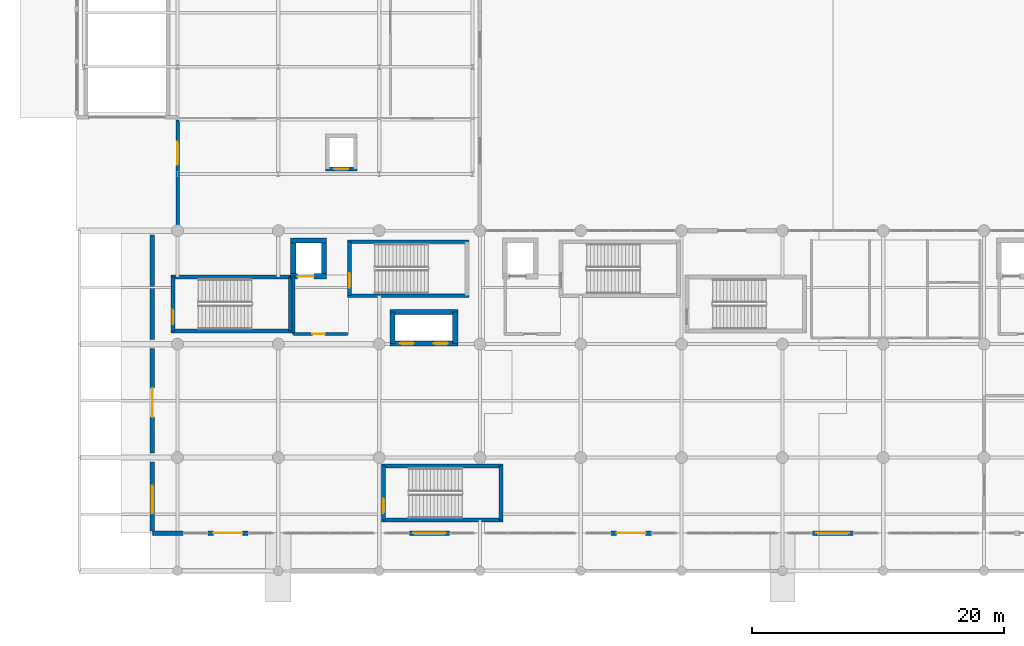
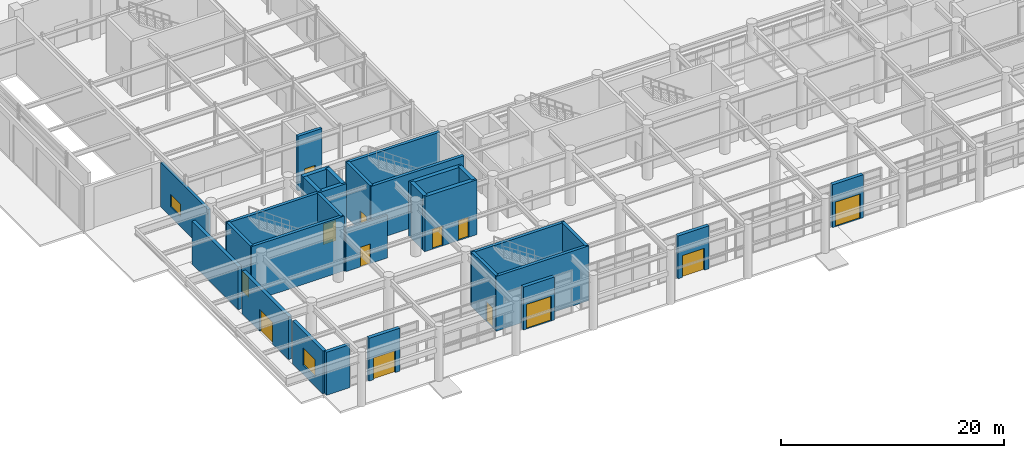
# One storey, part 28 of 49: 31 walls, 13 doors, 2 windows, 15 openings.
"""IFC4 building model written with IfcOpenShell, lengths in metres."""

from ifc_helpers import new_model, si_unit, direction, frame, frame_2d, origin, place, context, subcontext, project, spatial, rectangle, extrude, material, layer, layer_set, type_object, element, fill, save


model = new_model("IFC4")

# Units and contexts
model_context = context("Model", 3, precision=1e-05, world=origin(), true_north=direction((0.0, 1.0)))
body_context = subcontext(model_context, "Body", "Model", "MODEL_VIEW")
ifc_project = project(units=[si_unit("LENGTHUNIT", "METRE"), si_unit("AREAUNIT", "SQUARE_METRE"), si_unit("VOLUMEUNIT", "CUBIC_METRE"), si_unit("PLANEANGLEUNIT", "RADIAN"), si_unit("MASSUNIT", "GRAM", prefix="KILO")], contexts=[model_context])

# Site, building, storey
site_placement = place(None, origin())
site = spatial("IfcSite", under=ifc_project, at=site_placement, CompositionType="ELEMENT")
building_placement = place(site_placement, origin())
building = spatial("IfcBuilding", under=site, at=building_placement, Name="Tlacozan Convention Centre", CompositionType="ELEMENT")
storey_placement = place(building_placement, origin())
storey = spatial("IfcBuildingStorey", under=building, at=storey_placement, Name="L00", CompositionType="ELEMENT", Elevation=0.0)

# Wall
ifc_material_1 = material(Name="Volcanic Cantera Stone Masonry", Category="masonry")
ifc_layer_1 = layer(ifc_material_1, 0.35009765625)
ifc_layer_set_1 = layer_set([ifc_layer_1], Name="Volcanic Cantera Stone Masonry")
wall_type_1 = type_object("IfcWallType", Name="Cantera Cavity Facade Wall 350", PredefinedType="SOLIDWALL", material=ifc_layer_set_1)
wall_1_placement = place(storey_placement, frame((6.0, 3.0, 0.0), z_axis=(0.0, 0.0, 1.0), x_axis=(1.0, 0.0, 0.0)))
element("IfcWall", 1, at=wall_1_placement, inside=storey, type_object=wall_type_1, Name="L00 Cantera Cavity Facade Wall 350 94", PredefinedType="SOLIDWALL", context=body_context, shape_type="SweptSolid", body=[
    extrude(rectangle(XDim=2.449951171875, YDim=0.35009765625, at=frame_2d((1.22509765625, 0.0))), origin(), (0.0, 0.0, 1.0), 4.699951171875),
])

# Wall, opening, door
wall_2_placement = place(storey_placement, frame((10.39990234375, 3.0, 0.0), z_axis=(0.0, 0.0, 1.0), x_axis=(1.0, 0.0, 0.0)))
wall_2 = element("IfcWall", 2, at=wall_2_placement, inside=storey, type_object=wall_type_1, Name="L00 Cantera Cavity Facade Wall 350 95", PredefinedType="SOLIDWALL", context=body_context, shape_type="SweptSolid", body=[
    extrude(rectangle(XDim=3.2001953125, YDim=0.35009765625, at=frame_2d((1.60009765625, 0.0))), origin(), (0.0, 0.0, 1.0), 4.699951171875),
])
opening_1_placement = place(wall_2_placement, frame((0.449951171875, 0.0, 0.0)))
opening_1 = element("IfcOpeningElement", 3, at=opening_1_placement, cuts=wall_2, Name="Opening EX-D1", PredefinedType="OPENING", context=body_context, shape_type="SweptSolid", body=[
    extrude(rectangle(XDim=2.300048828125, YDim=2.39990234375, at=frame_2d((1.14990234375, 1.199951171875))), frame((0.0, 0.18505859375, 0.0), z_axis=(0.0, -1.0, 0.0), x_axis=(1.0, 0.0, 0.0)), (0.0, 0.0, 1.0), 0.3701171875),
])
ifc_material_2 = material(Name="Thermally Broken Anodised Aluminium Door", Category="aluminium")
door_type_1 = type_object("IfcDoorType", Name="Pedestrian Final Exit Double Door 2300x2400", OperationType="DOUBLE_DOOR_SINGLE_SWING", PredefinedType="DOOR", material=ifc_material_2)
door_1_placement = place(opening_1_placement, frame((2.300048828125, 0.0, 0.0), z_axis=(0.0, 0.0, 1.0), x_axis=(-1.0, 0.0, 0.0)))
door_1 = element("IfcDoor", 4, at=door_1_placement, inside=storey, type_object=door_type_1, Name="Main Promenade Entrance E-01", OperationType="DOUBLE_DOOR_SINGLE_SWING", OverallHeight=2.39990234375, OverallWidth=2.300048828125, PredefinedType="DOOR", context=body_context, shape_type="SweptSolid", body=[
    extrude(rectangle(XDim=2.300048828125, YDim=2.39990234375, at=frame_2d((1.14990234375, 1.199951171875))), frame((0.0, 0.02490234375, 0.0), z_axis=(0.0, -1.0, 0.0), x_axis=(1.0, 0.0, 0.0)), (0.0, 0.0, 1.0), 0.050048828125),
])
fill(opening_1, door_1)

wall_3_placement = place(storey_placement, frame((26.39990234375, 3.0, 0.0), z_axis=(0.0, 0.0, 1.0), x_axis=(1.0, 0.0, 0.0)))
wall_3 = element("IfcWall", 5, at=wall_3_placement, inside=storey, type_object=wall_type_1, Name="L00 Cantera Cavity Facade Wall 350 96", PredefinedType="SOLIDWALL", context=body_context, shape_type="SweptSolid", body=[
    extrude(rectangle(XDim=3.2001953125, YDim=0.35009765625, at=frame_2d((1.60009765625, 0.0))), origin(), (0.0, 0.0, 1.0), 4.699951171875),
])
opening_2_placement = place(wall_3_placement, frame((0.300048828125, 0.0, 0.0)))
opening_2 = element("IfcOpeningElement", 6, at=opening_2_placement, cuts=wall_3, Name="Opening EX-D2", PredefinedType="OPENING", context=body_context, shape_type="SweptSolid", body=[
    extrude(rectangle(XDim=2.60009765625, YDim=2.699951171875, at=frame_2d((1.300048828125, 1.35009765625))), frame((0.0, 0.18505859375, 0.0), z_axis=(0.0, -1.0, 0.0), x_axis=(1.0, 0.0, 0.0)), (0.0, 0.0, 1.0), 0.3701171875),
])
door_type_2 = type_object("IfcDoorType", Name="Concourse Main Entrance Double Door 2600x2700", OperationType="DOUBLE_DOOR_SINGLE_SWING", PredefinedType="DOOR", material=ifc_material_2)
door_2_placement = place(opening_2_placement, frame((2.60009765625, 0.0, 0.0), z_axis=(0.0, 0.0, 1.0), x_axis=(-1.0, 0.0, 0.0)))
door_2 = element("IfcDoor", 7, at=door_2_placement, inside=storey, type_object=door_type_2, Name="Main Promenade Entrance E-03", OperationType="DOUBLE_DOOR_SINGLE_SWING", OverallHeight=2.699951171875, OverallWidth=2.60009765625, PredefinedType="DOOR", context=body_context, shape_type="SweptSolid", body=[
    extrude(rectangle(XDim=2.60009765625, YDim=2.699951171875, at=frame_2d((1.300048828125, 1.35009765625))), frame((0.0, 0.02490234375, 0.0), z_axis=(0.0, -1.0, 0.0), x_axis=(1.0, 0.0, 0.0)), (0.0, 0.0, 1.0), 0.050048828125),
])
fill(opening_2, door_2)

wall_4_placement = place(storey_placement, frame((42.39990234375, 3.0, 0.0), z_axis=(0.0, 0.0, 1.0), x_axis=(1.0, 0.0, 0.0)))
wall_4 = element("IfcWall", 8, at=wall_4_placement, inside=storey, type_object=wall_type_1, Name="L00 Cantera Cavity Facade Wall 350 97", PredefinedType="SOLIDWALL", context=body_context, shape_type="SweptSolid", body=[
    extrude(rectangle(XDim=3.2001953125, YDim=0.35009765625, at=frame_2d((1.60009765625, 0.0))), origin(), (0.0, 0.0, 1.0), 4.699951171875),
])
opening_3_placement = place(wall_4_placement, frame((0.449951171875, 0.0, 0.0)))
opening_3 = element("IfcOpeningElement", 9, at=opening_3_placement, cuts=wall_4, Name="Opening EX-D1", PredefinedType="OPENING", context=body_context, shape_type="SweptSolid", body=[
    extrude(rectangle(XDim=2.300048828125, YDim=2.39990234375, at=frame_2d((1.14990234375, 1.199951171875))), frame((0.0, 0.18505859375, 0.0), z_axis=(0.0, -1.0, 0.0), x_axis=(1.0, 0.0, 0.0)), (0.0, 0.0, 1.0), 0.3701171875),
])
door_3_placement = place(opening_3_placement, frame((2.300048828125, 0.0, 0.0), z_axis=(0.0, 0.0, 1.0), x_axis=(-1.0, 0.0, 0.0)))
door_3 = element("IfcDoor", 10, at=door_3_placement, inside=storey, type_object=door_type_1, Name="Main Promenade Entrance E-05", OperationType="DOUBLE_DOOR_SINGLE_SWING", OverallHeight=2.39990234375, OverallWidth=2.300048828125, PredefinedType="DOOR", context=body_context, shape_type="SweptSolid", body=[
    extrude(rectangle(XDim=2.300048828125, YDim=2.39990234375, at=frame_2d((1.14990234375, 1.199951171875))), frame((0.0, 0.02490234375, 0.0), z_axis=(0.0, -1.0, 0.0), x_axis=(1.0, 0.0, 0.0)), (0.0, 0.0, 1.0), 0.050048828125),
])
fill(opening_3, door_3)

wall_5_placement = place(storey_placement, frame((58.39990234375, 3.0, 0.0), z_axis=(0.0, 0.0, 1.0), x_axis=(1.0, 0.0, 0.0)))
wall_5 = element("IfcWall", 11, at=wall_5_placement, inside=storey, type_object=wall_type_1, Name="L00 Cantera Cavity Facade Wall 350 98", PredefinedType="SOLIDWALL", context=body_context, shape_type="SweptSolid", body=[
    extrude(rectangle(XDim=3.2001953125, YDim=0.35009765625, at=frame_2d((1.60009765625, 0.0))), origin(), (0.0, 0.0, 1.0), 4.699951171875),
])
opening_4_placement = place(wall_5_placement, frame((0.300048828125, 0.0, 0.0)))
opening_4 = element("IfcOpeningElement", 12, at=opening_4_placement, cuts=wall_5, Name="Opening EX-D2", PredefinedType="OPENING", context=body_context, shape_type="SweptSolid", body=[
    extrude(rectangle(XDim=2.60009765625, YDim=2.699951171875, at=frame_2d((1.300048828125, 1.35009765625))), frame((0.0, 0.18505859375, 0.0), z_axis=(0.0, -1.0, 0.0), x_axis=(1.0, 0.0, 0.0)), (0.0, 0.0, 1.0), 0.3701171875),
])
door_4_placement = place(opening_4_placement, frame((2.60009765625, 0.0, 0.0), z_axis=(0.0, 0.0, 1.0), x_axis=(-1.0, 0.0, 0.0)))
door_4 = element("IfcDoor", 13, at=door_4_placement, inside=storey, type_object=door_type_2, Name="Main Promenade Entrance E-07", OperationType="DOUBLE_DOOR_SINGLE_SWING", OverallHeight=2.699951171875, OverallWidth=2.60009765625, PredefinedType="DOOR", context=body_context, shape_type="SweptSolid", body=[
    extrude(rectangle(XDim=2.60009765625, YDim=2.699951171875, at=frame_2d((1.300048828125, 1.35009765625))), frame((0.0, 0.02490234375, 0.0), z_axis=(0.0, -1.0, 0.0), x_axis=(1.0, 0.0, 0.0)), (0.0, 0.0, 1.0), 0.050048828125),
])
fill(opening_4, door_4)

# Wall, opening, window
wall_6_placement = place(storey_placement, frame((6.0, 3.175048828125, 0.0), z_axis=(0.0, 0.0, 1.0), x_axis=(0.0, 1.0, 0.0)))
wall_6 = element("IfcWall", 14, at=wall_6_placement, inside=storey, type_object=wall_type_1, Name="L00 Cantera Cavity Facade Wall 350 102", PredefinedType="SOLIDWALL", context=body_context, shape_type="SweptSolid", body=[
    extrude(rectangle(XDim=5.46484375, YDim=0.35009765625, at=frame_2d((2.732421875, 0.0))), origin(), (0.0, 0.0, 1.0), 4.699951171875),
])
opening_5_placement = place(wall_6_placement, frame((1.39990234375, 0.0, 1.0)))
opening_5 = element("IfcOpeningElement", 15, at=opening_5_placement, cuts=wall_6, Name="Opening WN-06", PredefinedType="OPENING", context=body_context, shape_type="SweptSolid", body=[
    extrude(rectangle(XDim=2.199951171875, YDim=1.89990234375, at=frame_2d((1.10009765625, 0.949951171875))), frame((0.0, 0.18505859375, 0.0), z_axis=(0.0, -1.0, 0.0), x_axis=(1.0, 0.0, 0.0)), (0.0, 0.0, 1.0), 0.3701171875),
])
ifc_material_3 = material(Name="Solar Control Double Low-E Argon Glazing", Category="glass")
window_type_1 = type_object("IfcWindowType", Name="Concourse West Reveal Window 2200x1900", PartitioningType="SINGLE_PANEL", PredefinedType="WINDOW", material=ifc_material_3)
window_1_placement = place(opening_5_placement, origin())
window_1 = element("IfcWindow", 16, at=window_1_placement, inside=storey, type_object=window_type_1, Name="L00 Concourse West Reveal Window 2200x1900 46", OverallHeight=1.89990234375, OverallWidth=2.199951171875, PartitioningType="SINGLE_PANEL", PredefinedType="WINDOW", context=body_context, shape_type="SweptSolid", body=[
    extrude(rectangle(XDim=2.199951171875, YDim=1.89990234375, at=frame_2d((1.10009765625, 0.949951171875))), frame((0.0, 0.030029296875, 0.0), z_axis=(0.0, -1.0, 0.0), x_axis=(1.0, 0.0, 0.0)), (0.0, 0.0, 1.0), 0.06005859375),
])
fill(opening_5, window_1)

# Wall, opening, door
wall_7_placement = place(storey_placement, frame((6.0, 9.360107421875, 0.0), z_axis=(0.0, 0.0, 1.0), x_axis=(0.0, 1.0, 0.0)))
wall_7 = element("IfcWall", 17, at=wall_7_placement, inside=storey, type_object=wall_type_1, Name="L00 Cantera Cavity Facade Wall 350 104", PredefinedType="SOLIDWALL", context=body_context, shape_type="SweptSolid", body=[
    extrude(rectangle(XDim=8.27978515625, YDim=0.35009765625, at=frame_2d((4.139892578125, 0.0))), origin(), (0.0, 0.0, 1.0), 4.699951171875),
])
opening_6_placement = place(wall_7_placement, frame((2.85009765625, 0.0, 0.0)))
opening_6 = element("IfcOpeningElement", 18, at=opening_6_placement, cuts=wall_7, Name="Opening EX-D1", PredefinedType="OPENING", context=body_context, shape_type="SweptSolid", body=[
    extrude(rectangle(XDim=2.300048828125, YDim=2.39990234375, at=frame_2d((1.14990234375, 1.199951171875))), frame((0.0, 0.18505859375, 0.0), z_axis=(0.0, -1.0, 0.0), x_axis=(1.0, 0.0, 0.0)), (0.0, 0.0, 1.0), 0.3701171875),
])
door_5_placement = place(opening_6_placement, origin())
door_5 = element("IfcDoor", 19, at=door_5_placement, inside=storey, type_object=door_type_1, Name="Final Pedestrian Exit EX-24", OperationType="DOUBLE_DOOR_SINGLE_SWING", OverallHeight=2.39990234375, OverallWidth=2.300048828125, PredefinedType="DOOR", context=body_context, shape_type="SweptSolid", body=[
    extrude(rectangle(XDim=2.300048828125, YDim=2.39990234375, at=frame_2d((1.14990234375, 1.199951171875))), frame((0.0, 0.02490234375, 0.0), z_axis=(0.0, -1.0, 0.0), x_axis=(1.0, 0.0, 0.0)), (0.0, 0.0, 1.0), 0.050048828125),
])
fill(opening_6, door_5)

# Wall
wall_8_placement = place(storey_placement, frame((6.0, 18.360107421875, 0.0), z_axis=(0.0, 0.0, 1.0), x_axis=(0.0, 1.0, 0.0)))
element("IfcWall", 20, at=wall_8_placement, inside=storey, type_object=wall_type_1, Name="L00 Cantera Cavity Facade Wall 350 106", PredefinedType="SOLIDWALL", context=body_context, shape_type="SweptSolid", body=[
    extrude(rectangle(XDim=8.27978515625, YDim=0.35009765625, at=frame_2d((4.139892578125, 0.0))), origin(), (0.0, 0.0, 1.0), 4.699951171875),
])

# Wall, opening, door
ifc_material_4 = material(Name="Concrete C40/50", Category="concrete")
ifc_layer_2 = layer(ifc_material_4, 0.409912109375)
ifc_layer_set_2 = layer_set([ifc_layer_2], Name="Concrete C40/50")
wall_type_2 = type_object("IfcWallType", Name="Core Shear Wall RC 410", PredefinedType="SHEAR", material=ifc_layer_set_2)
wall_9_placement = place(storey_placement, frame((16.97509765625, 23.3798828125, 0.0), z_axis=(0.0, 0.0, 1.0), x_axis=(1.0, 0.0, 0.0)))
wall_9 = element("IfcWall", 21, at=wall_9_placement, inside=storey, type_object=wall_type_2, Name="L00 Core Shear Wall RC 410 21", PredefinedType="SHEAR", context=body_context, shape_type="SweptSolid", body=[
    extrude(rectangle(XDim=2.849853515625, YDim=0.409912109375, at=frame_2d((1.4248046875, 0.0))), origin(), (0.0, 0.0, 1.0), 6.0),
])
opening_7_placement = place(wall_9_placement, frame((0.550048828125, 0.0, 0.0)))
opening_7 = element("IfcOpeningElement", 22, at=opening_7_placement, cuts=wall_9, Name="Opening LD-02", PredefinedType="OPENING", context=body_context, shape_type="SweptSolid", body=[
    extrude(rectangle(XDim=1.300048828125, YDim=2.25, at=frame_2d((0.64990234375, 1.125))), frame((0.0, 0.21484375, 0.0), z_axis=(0.0, -1.0, 0.0), x_axis=(1.0, 0.0, 0.0)), (0.0, 0.0, 1.0), 0.429931640625),
])
ifc_material_5 = material(Name="Brushed Stainless Steel Sliding Landing Door", Category="steel")
door_type_3 = type_object("IfcDoorType", Name="Firefighting Lift Sliding Door 1300x2250", OperationType="DOUBLE_DOOR_SLIDING", PredefinedType="DOOR", material=ifc_material_5)
door_6_placement = place(opening_7_placement, origin())
door_6 = element("IfcDoor", 23, at=door_6_placement, inside=storey, type_object=door_type_3, Name="L00 Firefighting Lift FL-01 Landing Door", OperationType="DOUBLE_DOOR_SLIDING", OverallHeight=2.25, OverallWidth=1.300048828125, PredefinedType="DOOR", context=body_context, shape_type="SweptSolid", body=[
    extrude(rectangle(XDim=1.300048828125, YDim=2.25, at=frame_2d((0.64990234375, 1.125))), frame((0.0, 0.02490234375, 0.0), z_axis=(0.0, -1.0, 0.0), x_axis=(1.0, 0.0, 0.0)), (0.0, 0.0, 1.0), 0.050048828125),
])
fill(opening_7, door_6)

# Walls
wall_10_placement = place(storey_placement, frame((16.97509765625, 26.219970703125, 0.0), z_axis=(0.0, 0.0, 1.0), x_axis=(1.0, 0.0, 0.0)))
element("IfcWall", 24, at=wall_10_placement, inside=storey, type_object=wall_type_2, Name="L00 Core Shear Wall RC 410 22", PredefinedType="SHEAR", context=body_context, shape_type="SweptSolid", body=[
    extrude(rectangle(XDim=2.849853515625, YDim=0.409912109375, at=frame_2d((1.4248046875, 0.0))), origin(), (0.0, 0.0, 1.0), 6.0),
])
for number, where, z_axis, x_axis, name in (
    (25, (17.179931640625, 23.3798828125, 0.0), (0.0, 0.0, 1.0), (0.0, 1.0, 0.0), "L00 Core Shear Wall RC 410 23"),
    (26, (19.6201171875, 23.3798828125, 0.0), (0.0, 0.0, 1.0), (0.0, 1.0, 0.0), "L00 Core Shear Wall RC 410 24"),
):
    element("IfcWall", number, at=place(storey_placement, frame(where, z_axis=z_axis, x_axis=x_axis)), inside=storey, type_object=wall_type_2, Name=name, PredefinedType="SHEAR", context=body_context, shape_type="SweptSolid", body=[
        extrude(rectangle(XDim=2.840087890625, YDim=0.409912109375, at=frame_2d((1.419921875, 0.0))), origin(), (0.0, 0.0, 1.0), 6.0),
    ])

# Wall, openings, doors
wall_11_placement = place(storey_placement, frame((24.85498046875, 18.06005859375, 0.0), z_axis=(0.0, 0.0, 1.0), x_axis=(1.0, 0.0, 0.0)))
wall_11 = element("IfcWall", 27, at=wall_11_placement, inside=storey, type_object=wall_type_2, Name="L00 Core Shear Wall RC 410 25", PredefinedType="SHEAR", context=body_context, shape_type="SweptSolid", body=[
    extrude(rectangle(XDim=5.39013671875, YDim=0.409912109375, at=frame_2d((2.695068359375, 0.0))), origin(), (0.0, 0.0, 1.0), 6.0),
])
opening_8_placement = place(wall_11_placement, frame((0.794921875, 0.0, 0.0)))
opening_8 = element("IfcOpeningElement", 28, at=opening_8_placement, cuts=wall_11, Name="Opening LD-01", PredefinedType="OPENING", context=body_context, shape_type="SweptSolid", body=[
    extrude(rectangle(XDim=1.10009765625, YDim=2.199951171875, at=frame_2d((0.550048828125, 1.10009765625))), frame((0.0, 0.21484375, 0.0), z_axis=(0.0, -1.0, 0.0), x_axis=(1.0, 0.0, 0.0)), (0.0, 0.0, 1.0), 0.429931640625),
])
opening_9_placement = place(wall_11_placement, frame((3.4951171875, 0.0, 0.0)))
opening_9 = element("IfcOpeningElement", 29, at=opening_9_placement, cuts=wall_11, Name="Opening LD-01", PredefinedType="OPENING", context=body_context, shape_type="SweptSolid", body=[
    extrude(rectangle(XDim=1.10009765625, YDim=2.199951171875, at=frame_2d((0.550048828125, 1.10009765625))), frame((0.0, 0.21484375, 0.0), z_axis=(0.0, -1.0, 0.0), x_axis=(1.0, 0.0, 0.0)), (0.0, 0.0, 1.0), 0.429931640625),
])
door_type_4 = type_object("IfcDoorType", Name="Lift Sliding Landing Door 1100x2200", OperationType="DOUBLE_DOOR_SLIDING", PredefinedType="DOOR", material=ifc_material_5)
door_7_placement = place(opening_8_placement, origin())
door_7 = element("IfcDoor", 30, at=door_7_placement, inside=storey, type_object=door_type_4, Name="L00 Lift PL-01 Landing Door", OperationType="DOUBLE_DOOR_SLIDING", OverallHeight=2.199951171875, OverallWidth=1.10009765625, PredefinedType="DOOR", context=body_context, shape_type="SweptSolid", body=[
    extrude(rectangle(XDim=1.10009765625, YDim=2.199951171875, at=frame_2d((0.550048828125, 1.10009765625))), frame((0.0, 0.02490234375, 0.0), z_axis=(0.0, -1.0, 0.0), x_axis=(1.0, 0.0, 0.0)), (0.0, 0.0, 1.0), 0.050048828125),
])
fill(opening_8, door_7)
door_8_placement = place(opening_9_placement, origin())
door_8 = element("IfcDoor", 31, at=door_8_placement, inside=storey, type_object=door_type_4, Name="L00 Lift PL-02 Landing Door", OperationType="DOUBLE_DOOR_SLIDING", OverallHeight=2.199951171875, OverallWidth=1.10009765625, PredefinedType="DOOR", context=body_context, shape_type="SweptSolid", body=[
    extrude(rectangle(XDim=1.10009765625, YDim=2.199951171875, at=frame_2d((0.550048828125, 1.10009765625))), frame((0.0, 0.02490234375, 0.0), z_axis=(0.0, -1.0, 0.0), x_axis=(1.0, 0.0, 0.0)), (0.0, 0.0, 1.0), 0.050048828125),
])
fill(opening_9, door_8)

# Walls
wall_12_placement = place(storey_placement, frame((24.85498046875, 20.5400390625, 0.0), z_axis=(0.0, 0.0, 1.0), x_axis=(1.0, 0.0, 0.0)))
element("IfcWall", 32, at=wall_12_placement, inside=storey, type_object=wall_type_2, Name="L00 Core Shear Wall RC 410 26", PredefinedType="SHEAR", context=body_context, shape_type="SweptSolid", body=[
    extrude(rectangle(XDim=5.39013671875, YDim=0.409912109375, at=frame_2d((2.695068359375, 0.0))), origin(), (0.0, 0.0, 1.0), 6.0),
])
for number, where, z_axis, x_axis, name in (
    (33, (25.06005859375, 18.06005859375, 0.0), (0.0, 0.0, 1.0), (0.0, 1.0, 0.0), "L00 Core Shear Wall RC 410 27"),
    (34, (30.0400390625, 18.06005859375, 0.0), (0.0, 0.0, 1.0), (0.0, 1.0, 0.0), "L00 Core Shear Wall RC 410 28"),
):
    element("IfcWall", number, at=place(storey_placement, frame(where, z_axis=z_axis, x_axis=x_axis)), inside=storey, type_object=wall_type_2, Name=name, PredefinedType="SHEAR", context=body_context, shape_type="SweptSolid", body=[
        extrude(rectangle(XDim=2.47998046875, YDim=0.409912109375, at=frame_2d((1.239990234375, 0.0))), origin(), (0.0, 0.0, 1.0), 6.0),
    ])

# Wall, opening, door
ifc_material_6 = material(Name="Fire-Rated Gypsum Stud Partition Assembly")
ifc_layer_3 = layer(ifc_material_6, 0.2099609375)
ifc_layer_set_3 = layer_set([ifc_layer_3], Name="Fire-Rated Gypsum Stud Partition Assembly")
wall_type_3 = type_object("IfcWallType", Name="Firefighting Lobby Rated Wall 210", PredefinedType="PARTITIONING", material=ifc_layer_set_3)
wall_13_placement = place(storey_placement, frame((17.199951171875, 18.800048828125, 0.0), z_axis=(0.0, 0.0, 1.0), x_axis=(1.0, 0.0, 0.0)))
wall_13 = element("IfcWall", 35, at=wall_13_placement, inside=storey, type_object=wall_type_3, Name="L00 Firefighting Lobby Rated Wall 210 19", PredefinedType="PARTITIONING", context=body_context, shape_type="SweptSolid", body=[
    extrude(rectangle(XDim=4.300048828125, YDim=0.2099609375, at=frame_2d((2.14990234375, 0.0))), origin(), (0.0, 0.0, 1.0), 4.64990234375),
])
opening_10_placement = place(wall_13_placement, frame((1.5, 0.0, 0.0)))
opening_10 = element("IfcOpeningElement", 36, at=opening_10_placement, cuts=wall_13, Name="Opening FD-01", PredefinedType="OPENING", context=body_context, shape_type="SweptSolid", body=[
    extrude(rectangle(XDim=1.0, YDim=2.14990234375, at=frame_2d((0.5, 1.074951171875))), frame((0.0, 0.114990234375, 0.0), z_axis=(0.0, -1.0, 0.0), x_axis=(1.0, 0.0, 0.0)), (0.0, 0.0, 1.0), 0.22998046875),
])
ifc_material_7 = material(Name="Fire-Rated Insulated Steel Door Leaf", Category="steel")
door_type_5 = type_object("IfcDoorType", Name="Fire Door Single 1000x2150 FD90", OperationType="NOTDEFINED", PredefinedType="DOOR", material=ifc_material_7)
door_9_placement = place(opening_10_placement, origin())
door_9 = element("IfcDoor", 37, at=door_9_placement, inside=storey, type_object=door_type_5, Name="L00 CORE-1 Firefighting Lobby Entry Door", OperationType="SINGLE_SWING_RIGHT", OverallHeight=2.14990234375, OverallWidth=1.0, PredefinedType="DOOR", context=body_context, shape_type="SweptSolid", body=[
    extrude(rectangle(XDim=1.0, YDim=2.14990234375, at=frame_2d((0.5, 1.074951171875))), frame((0.0, 0.02490234375, 0.0), z_axis=(0.0, -1.0, 0.0), x_axis=(1.0, 0.0, 0.0)), (0.0, 0.0, 1.0), 0.050048828125),
])
fill(opening_10, door_9)

# Wall
wall_14_placement = place(storey_placement, frame((17.199951171875, 18.800048828125, 0.0), z_axis=(0.0, 0.0, 1.0), x_axis=(0.0, 1.0, 0.0)))
element("IfcWall", 38, at=wall_14_placement, inside=storey, type_object=wall_type_3, Name="L00 Firefighting Lobby Rated Wall 210 20", PredefinedType="PARTITIONING", context=body_context, shape_type="SweptSolid", body=[
    extrude(rectangle(XDim=4.599853515625, YDim=0.2099609375, at=frame_2d((2.2998046875, 0.0))), origin(), (0.0, 0.0, 1.0), 4.64990234375),
])

# Wall, opening, window
ifc_material_8 = material(Name="Pale Lime-Render Masonry Assembly", Category="masonry")
ifc_layer_4 = layer(ifc_material_8, 0.280029296875)
ifc_layer_set_4 = layer_set([ifc_layer_4], Name="Pale Lime-Render Masonry Assembly")
wall_type_4 = type_object("IfcWallType", Name="Pale-Render Service Wing Wall 280", PredefinedType="SOLIDWALL", material=ifc_layer_set_4)
wall_15_placement = place(storey_placement, frame((8.0, 27.300048828125, 0.0), z_axis=(0.0, 0.0, 1.0), x_axis=(0.0, 1.0, 0.0)))
wall_15 = element("IfcWall", 39, at=wall_15_placement, inside=storey, type_object=wall_type_4, Name="L00 Pale-Render Service Wing Wall 280 199", PredefinedType="SOLIDWALL", context=body_context, shape_type="SweptSolid", body=[
    extrude(rectangle(XDim=8.5, YDim=0.280029296875, at=frame_2d((4.25, 0.0))), origin(), (0.0, 0.0, 1.0), 4.85009765625),
])
opening_11_placement = place(wall_15_placement, frame((4.949951171875, 0.0, 1.10009765625)))
opening_11 = element("IfcOpeningElement", 40, at=opening_11_placement, cuts=wall_15, Name="Opening WN-11", PredefinedType="OPENING", context=body_context, shape_type="SweptSolid", body=[
    extrude(rectangle(XDim=1.800048828125, YDim=1.35009765625, at=frame_2d((0.89990234375, 0.675048828125))), frame((0.0, 0.14990234375, 0.0), z_axis=(0.0, -1.0, 0.0), x_axis=(1.0, 0.0, 0.0)), (0.0, 0.0, 1.0), 0.300048828125),
])
window_type_2 = type_object("IfcWindowType", Name="Service Wing Casement Window 1800x1350", PartitioningType="SINGLE_PANEL", PredefinedType="WINDOW", material=ifc_material_3)
window_2_placement = place(opening_11_placement, origin())
window_2 = element("IfcWindow", 41, at=window_2_placement, inside=storey, type_object=window_type_2, Name="L00 Service Wing Casement Window 1800x1350 65", OverallHeight=1.35009765625, OverallWidth=1.800048828125, PartitioningType="SINGLE_PANEL", PredefinedType="WINDOW", context=body_context, shape_type="SweptSolid", body=[
    extrude(rectangle(XDim=1.800048828125, YDim=1.35009765625, at=frame_2d((0.89990234375, 0.675048828125))), frame((0.0, 0.030029296875, 0.0), z_axis=(0.0, -1.0, 0.0), x_axis=(1.0, 0.0, 0.0)), (0.0, 0.0, 1.0), 0.06005859375),
])
fill(opening_11, window_2)

# Walls
ifc_layer_5 = layer(ifc_material_4, 0.31005859375)
ifc_layer_set_5 = layer_set([ifc_layer_5], Name="Concrete C40/50")
wall_type_5 = type_object("IfcWallType", Name="Stair Shaft Shear Wall RC 310", PredefinedType="SHEAR", material=ifc_layer_set_5)
for number, where, z_axis, x_axis, name in (
    (42, (21.485107421875, 21.840087890625, 0.0), (0.0, 0.0, 1.0), (1.0, 0.0, 0.0), "L00 Stair Shaft Shear Wall RC 310 15"),
    (43, (21.485107421875, 26.1201171875, 0.0), (0.0, 0.0, 1.0), (1.0, 0.0, 0.0), "L00 Stair Shaft Shear Wall RC 310 16"),
):
    element("IfcWall", number, at=place(storey_placement, frame(where, z_axis=z_axis, x_axis=x_axis)), inside=storey, type_object=wall_type_5, Name=name, PredefinedType="SHEAR", context=body_context, shape_type="SweptSolid", body=[
        extrude(rectangle(XDim=9.6298828125, YDim=0.31005859375, at=frame_2d((4.81494140625, 0.0))), origin(), (0.0, 0.0, 1.0), 6.0),
    ])

# Wall, opening, door
wall_16_placement = place(storey_placement, frame((21.639892578125, 21.840087890625, 0.0), z_axis=(0.0, 0.0, 1.0), x_axis=(0.0, 1.0, 0.0)))
wall_16 = element("IfcWall", 44, at=wall_16_placement, inside=storey, type_object=wall_type_5, Name="L00 Stair Shaft Shear Wall RC 310 17", PredefinedType="SHEAR", context=body_context, shape_type="SweptSolid", body=[
    extrude(rectangle(XDim=4.280029296875, YDim=0.31005859375, at=frame_2d((2.14013671875, 0.0))), origin(), (0.0, 0.0, 1.0), 6.0),
])
opening_12_placement = place(wall_16_placement, frame((0.64990234375, 0.0, 0.0)))
opening_12 = element("IfcOpeningElement", 45, at=opening_12_placement, cuts=wall_16, Name="Opening FD-02", PredefinedType="OPENING", context=body_context, shape_type="SweptSolid", body=[
    extrude(rectangle(XDim=1.14990234375, YDim=2.199951171875, at=frame_2d((0.574951171875, 1.10009765625))), frame((0.0, 0.1650390625, 0.0), z_axis=(0.0, -1.0, 0.0), x_axis=(1.0, 0.0, 0.0)), (0.0, 0.0, 1.0), 0.330078125),
])
door_type_6 = type_object("IfcDoorType", Name="Fire Door Stair 1150x2200 FD90", OperationType="NOTDEFINED", PredefinedType="DOOR", material=ifc_material_7)
door_10_placement = place(opening_12_placement, origin())
door_10 = element("IfcDoor", 46, at=door_10_placement, inside=storey, type_object=door_type_6, Name="L00 Stair ST-01 Fire Door", OperationType="SINGLE_SWING_LEFT", OverallHeight=2.199951171875, OverallWidth=1.14990234375, PredefinedType="DOOR", context=body_context, shape_type="SweptSolid", body=[
    extrude(rectangle(XDim=1.14990234375, YDim=2.199951171875, at=frame_2d((0.574951171875, 1.10009765625))), frame((0.0, 0.02490234375, 0.0), z_axis=(0.0, -1.0, 0.0), x_axis=(1.0, 0.0, 0.0)), (0.0, 0.0, 1.0), 0.050048828125),
])
fill(opening_12, door_10)

# Walls
for number, where, z_axis, x_axis, name in (
    (47, (7.485107421875, 19.0400390625, 0.0), (0.0, 0.0, 1.0), (1.0, 0.0, 0.0), "L00 Stair Shaft Shear Wall RC 310 289"),
    (48, (7.485107421875, 23.320068359375, 0.0), (0.0, 0.0, 1.0), (1.0, 0.0, 0.0), "L00 Stair Shaft Shear Wall RC 310 290"),
):
    element("IfcWall", number, at=place(storey_placement, frame(where, z_axis=z_axis, x_axis=x_axis)), inside=storey, type_object=wall_type_5, Name=name, PredefinedType="SHEAR", context=body_context, shape_type="SweptSolid", body=[
        extrude(rectangle(XDim=9.6298828125, YDim=0.31005859375, at=frame_2d((4.81494140625, 0.0))), origin(), (0.0, 0.0, 1.0), 6.0),
    ])

# Wall, opening, door
wall_17_placement = place(storey_placement, frame((7.639892578125, 19.0400390625, 0.0), z_axis=(0.0, 0.0, 1.0), x_axis=(0.0, 1.0, 0.0)))
wall_17 = element("IfcWall", 49, at=wall_17_placement, inside=storey, type_object=wall_type_5, Name="L00 Stair Shaft Shear Wall RC 310 291", PredefinedType="SHEAR", context=body_context, shape_type="SweptSolid", body=[
    extrude(rectangle(XDim=4.280029296875, YDim=0.31005859375, at=frame_2d((2.14013671875, 0.0))), origin(), (0.0, 0.0, 1.0), 6.0),
])
opening_13_placement = place(wall_17_placement, frame((0.550048828125, 0.0, 0.0)))
opening_13 = element("IfcOpeningElement", 50, at=opening_13_placement, cuts=wall_17, Name="Opening FD-02", PredefinedType="OPENING", context=body_context, shape_type="SweptSolid", body=[
    extrude(rectangle(XDim=1.14990234375, YDim=2.199951171875, at=frame_2d((0.574951171875, 1.10009765625))), frame((0.0, 0.1650390625, 0.0), z_axis=(0.0, -1.0, 0.0), x_axis=(1.0, 0.0, 0.0)), (0.0, 0.0, 1.0), 0.330078125),
])
door_11_placement = place(opening_13_placement, origin())
door_11 = element("IfcDoor", 51, at=door_11_placement, inside=storey, type_object=door_type_6, Name="L00 Stair ST-13 Access Door", OperationType="SINGLE_SWING_LEFT", OverallHeight=2.199951171875, OverallWidth=1.14990234375, PredefinedType="DOOR", context=body_context, shape_type="SweptSolid", body=[
    extrude(rectangle(XDim=1.14990234375, YDim=2.199951171875, at=frame_2d((0.574951171875, 1.10009765625))), frame((0.0, 0.02490234375, 0.0), z_axis=(0.0, -1.0, 0.0), x_axis=(1.0, 0.0, 0.0)), (0.0, 0.0, 1.0), 0.050048828125),
])
fill(opening_13, door_11)

# Walls
wall_18_placement = place(storey_placement, frame((16.9599609375, 19.0400390625, 0.0), z_axis=(0.0, 0.0, 1.0), x_axis=(0.0, 1.0, 0.0)))
element("IfcWall", 52, at=wall_18_placement, inside=storey, type_object=wall_type_5, Name="L00 Stair Shaft Shear Wall RC 310 292", PredefinedType="SHEAR", context=body_context, shape_type="SweptSolid", body=[
    extrude(rectangle(XDim=4.280029296875, YDim=0.31005859375, at=frame_2d((2.14013671875, 0.0))), origin(), (0.0, 0.0, 1.0), 6.0),
])
for number, where, z_axis, x_axis, name in (
    (53, (24.18505859375, 4.0400390625, 0.0), (0.0, 0.0, 1.0), (1.0, 0.0, 0.0), "L00 Stair Shaft Shear Wall RC 310 357"),
    (54, (24.18505859375, 8.320068359375, 0.0), (0.0, 0.0, 1.0), (1.0, 0.0, 0.0), "L00 Stair Shaft Shear Wall RC 310 358"),
):
    element("IfcWall", number, at=place(storey_placement, frame(where, z_axis=z_axis, x_axis=x_axis)), inside=storey, type_object=wall_type_5, Name=name, PredefinedType="SHEAR", context=body_context, shape_type="SweptSolid", body=[
        extrude(rectangle(XDim=9.6298828125, YDim=0.31005859375, at=frame_2d((4.81494140625, 0.0))), origin(), (0.0, 0.0, 1.0), 6.0),
    ])

# Wall, opening, door
wall_19_placement = place(storey_placement, frame((24.340087890625, 4.0400390625, 0.0), z_axis=(0.0, 0.0, 1.0), x_axis=(0.0, 1.0, 0.0)))
wall_19 = element("IfcWall", 55, at=wall_19_placement, inside=storey, type_object=wall_type_5, Name="L00 Stair Shaft Shear Wall RC 310 359", PredefinedType="SHEAR", context=body_context, shape_type="SweptSolid", body=[
    extrude(rectangle(XDim=4.280029296875, YDim=0.31005859375, at=frame_2d((2.14013671875, 0.0))), origin(), (0.0, 0.0, 1.0), 6.0),
])
opening_14_placement = place(wall_19_placement, frame((0.550048828125, 0.0, 0.0)))
opening_14 = element("IfcOpeningElement", 56, at=opening_14_placement, cuts=wall_19, Name="Opening FD-02", PredefinedType="OPENING", context=body_context, shape_type="SweptSolid", body=[
    extrude(rectangle(XDim=1.14990234375, YDim=2.199951171875, at=frame_2d((0.574951171875, 1.10009765625))), frame((0.0, 0.1650390625, 0.0), z_axis=(0.0, -1.0, 0.0), x_axis=(1.0, 0.0, 0.0)), (0.0, 0.0, 1.0), 0.330078125),
])
door_12_placement = place(opening_14_placement, origin())
door_12 = element("IfcDoor", 57, at=door_12_placement, inside=storey, type_object=door_type_6, Name="L00 Stair ST-16 Access Door", OperationType="SINGLE_SWING_RIGHT", OverallHeight=2.199951171875, OverallWidth=1.14990234375, PredefinedType="DOOR", context=body_context, shape_type="SweptSolid", body=[
    extrude(rectangle(XDim=1.14990234375, YDim=2.199951171875, at=frame_2d((0.574951171875, 1.10009765625))), frame((0.0, 0.02490234375, 0.0), z_axis=(0.0, -1.0, 0.0), x_axis=(1.0, 0.0, 0.0)), (0.0, 0.0, 1.0), 0.050048828125),
])
fill(opening_14, door_12)

# Wall
wall_20_placement = place(storey_placement, frame((33.659912109375, 4.0400390625, 0.0), z_axis=(0.0, 0.0, 1.0), x_axis=(0.0, 1.0, 0.0)))
element("IfcWall", 58, at=wall_20_placement, inside=storey, type_object=wall_type_5, Name="L00 Stair Shaft Shear Wall RC 310 360", PredefinedType="SHEAR", context=body_context, shape_type="SweptSolid", body=[
    extrude(rectangle(XDim=4.280029296875, YDim=0.31005859375, at=frame_2d((2.14013671875, 0.0))), origin(), (0.0, 0.0, 1.0), 6.0),
])

# Wall, opening, door
wall_21_placement = place(storey_placement, frame((19.7451171875, 31.89990234375, 0.0), z_axis=(0.0, 0.0, 1.0), x_axis=(1.0, 0.0, 0.0)))
wall_21 = element("IfcWall", 59, at=wall_21_placement, inside=storey, type_object=wall_type_5, Name="L00 Stair Shaft Shear Wall RC 310 517", PredefinedType="SHEAR", context=body_context, shape_type="SweptSolid", body=[
    extrude(rectangle(XDim=2.509765625, YDim=0.31005859375, at=frame_2d((1.2548828125, 0.0))), origin(), (0.0, 0.0, 1.0), 6.0),
])
opening_15_placement = place(wall_21_placement, frame((0.699951171875, 0.0, 0.0)))
opening_15 = element("IfcOpeningElement", 60, at=opening_15_placement, cuts=wall_21, Name="Opening LD-01", PredefinedType="OPENING", context=body_context, shape_type="SweptSolid", body=[
    extrude(rectangle(XDim=1.10009765625, YDim=2.199951171875, at=frame_2d((0.550048828125, 1.10009765625))), frame((0.0, 0.1650390625, 0.0), z_axis=(0.0, -1.0, 0.0), x_axis=(1.0, 0.0, 0.0)), (0.0, 0.0, 1.0), 0.330078125),
])
door_13_placement = place(opening_15_placement, origin())
door_13 = element("IfcDoor", 61, at=door_13_placement, inside=storey, type_object=door_type_4, Name="L00 Lift PL-08 Landing Door", OperationType="DOUBLE_DOOR_SLIDING", OverallHeight=2.199951171875, OverallWidth=1.10009765625, PredefinedType="DOOR", context=body_context, shape_type="SweptSolid", body=[
    extrude(rectangle(XDim=1.10009765625, YDim=2.199951171875, at=frame_2d((0.550048828125, 1.10009765625))), frame((0.0, 0.02490234375, 0.0), z_axis=(0.0, -1.0, 0.0), x_axis=(1.0, 0.0, 0.0)), (0.0, 0.0, 1.0), 0.050048828125),
])
fill(opening_15, door_13)

save(model, "model.ifc")
